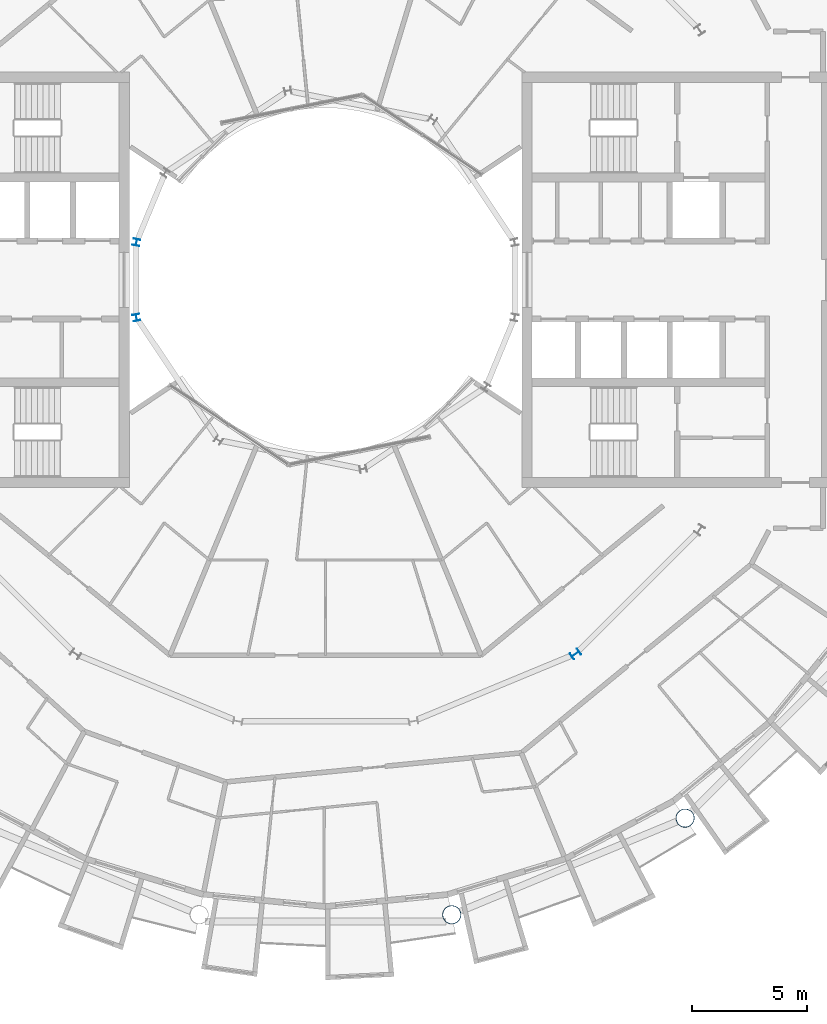
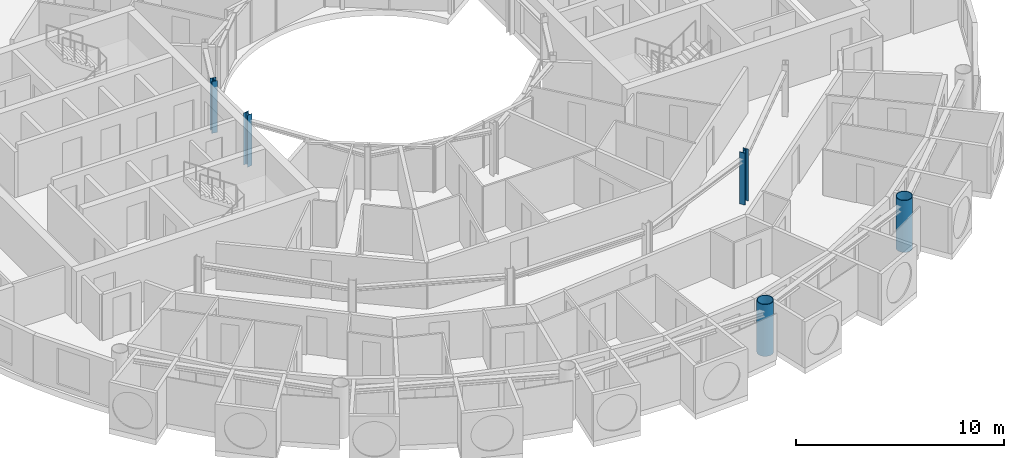
# One storey, part 2 of 29: 5 columns.
"""IFC4 building model written with IfcOpenShell, lengths in metres."""

from ifc_helpers import new_model, si_unit, direction, frame, origin, origin_2d, place, context, subcontext, project, spatial, hollow_circle, i_section, extrude, material, material_profile, profile_set, type_object, element, save


model = new_model("IFC4")

# Units and contexts
model_context = context("Model", 3, precision=1e-05, world=origin(), true_north=direction((0.0, 1.0)))
body_context = subcontext(model_context, "Body", "Model", "MODEL_VIEW")
ifc_project = project(units=[si_unit("LENGTHUNIT", "METRE"), si_unit("AREAUNIT", "SQUARE_METRE"), si_unit("VOLUMEUNIT", "CUBIC_METRE"), si_unit("PLANEANGLEUNIT", "RADIAN"), si_unit("MASSUNIT", "GRAM", prefix="KILO")], contexts=[model_context])

# Site, building, storey
site_placement = place(None, origin())
site = spatial("IfcSite", under=ifc_project, at=site_placement, CompositionType="ELEMENT")
building_placement = place(site_placement, origin())
building = spatial("IfcBuilding", under=site, at=building_placement, Name="Maasbend Ring Residences", CompositionType="ELEMENT")
storey_placement = place(building_placement, frame((0.0, 0.0, 205.449951171875)))
storey = spatial("IfcBuildingStorey", under=building, at=storey_placement, Name="L59", CompositionType="ELEMENT", Elevation=205.449951171875)

# Columns
ifc_material_1 = material(Name="Composite concrete-filled steel tube S460NH / C80/95", Category="concrete")
ifc_material_profile_1 = material_profile(ifc_material_1, hollow_circle(Radius=0.406494140625, WallThickness=0.030029296875, at=origin_2d()), Name="Composite tube column CHS 813x30")
ifc_profile_set_1 = profile_set([ifc_material_profile_1], Name="Composite concrete-filled steel tube S460NH / C80/95")
column_type_1 = type_object("IfcColumnType", Name="Composite tube column CHS 813x30", PredefinedType="COLUMN", material=ifc_profile_set_1)
for number, where, z_axis, x_axis, name in (
    (1, (5.50146484375, -27.658203125, 0.0), (0.0, 0.0, 1.0), (1.0, 0.0, 0.0), "Outer column R13"),
    (2, (15.6669921875, -23.447509765625, 0.0), (0.0, 0.0, 1.0), (1.0, 0.0, 0.0), "Outer column R14"),
):
    element("IfcColumn", number, at=place(storey_placement, frame(where, z_axis=z_axis, x_axis=x_axis)), inside=storey, type_object=column_type_1, Name=name, PredefinedType="COLUMN", context=body_context, shape_type="SweptSolid", body=[
        extrude(hollow_circle(Radius=0.406494140625, WallThickness=0.030029296875, at=origin_2d()), origin(), (0.0, 0.0, 1.0), 3.050048828125),
    ])
ifc_material_2 = material(Name="Steel S355J2", Category="steel")
ifc_material_profile_2 = material_profile(ifc_material_2, i_section(OverallWidth=0.300048828125, OverallDepth=0.2900390625, WebThickness=0.008544921875, FlangeThickness=0.013916015625, FilletRadius=0.027099609375, at=origin_2d()), Name="HEA 300")
ifc_profile_set_2 = profile_set([ifc_material_profile_2], Name="Steel S355J2")
column_type_2 = type_object("IfcColumnType", Name="Steel column HEA 300", PredefinedType="COLUMN", material=ifc_profile_set_2)
for number, where, z_axis, x_axis, name in (
    (3, (-8.238525390625, 1.638916015625, 0.0), (0.0, 0.0, 1.0), (-0.980785280403, 0.195090322016, 0.0), "Well ring column R8"),
    (4, (-8.238525390625, -1.638916015625, 0.0), (0.0, 0.0, 1.0), (-0.980785280403, -0.195090322016, 0.0), "Well ring column R9"),
):
    element("IfcColumn", number, at=place(storey_placement, frame(where, z_axis=z_axis, x_axis=x_axis)), inside=storey, type_object=column_type_2, Name=name, PredefinedType="COLUMN", context=body_context, shape_type="SweptSolid", body=[
        extrude(i_section(OverallWidth=0.300048828125, OverallDepth=0.2900390625, WebThickness=0.008544921875, FlangeThickness=0.013916015625, FilletRadius=0.027099609375, at=origin_2d()), origin(), (0.0, 0.0, 1.0), 3.050048828125),
    ])
ifc_material_3 = material(Name="Steel S355J2", Category="steel")
ifc_material_profile_3 = material_profile(ifc_material_3, i_section(OverallWidth=0.300048828125, OverallDepth=0.39990234375, WebThickness=0.013427734375, FlangeThickness=0.02392578125, FilletRadius=0.027099609375, at=origin_2d()), Name="HEB 400")
ifc_profile_set_3 = profile_set([ifc_material_profile_3], Name="Steel S355J2")
column_type_3 = type_object("IfcColumnType", Name="Steel column HEB 400", PredefinedType="COLUMN", material=ifc_profile_set_3)
column_placement = place(storey_placement, frame((10.88916015625, -16.296875, 0.0), z_axis=(0.0, 0.0, 1.0), x_axis=(0.55557023302, -0.831469612303, 0.0)))
element("IfcColumn", 5, at=column_placement, inside=storey, type_object=column_type_3, Name="Corridor ring column R14", PredefinedType="COLUMN", context=body_context, shape_type="SweptSolid", body=[
    extrude(i_section(OverallWidth=0.300048828125, OverallDepth=0.39990234375, WebThickness=0.013427734375, FlangeThickness=0.02392578125, FilletRadius=0.027099609375, at=origin_2d()), origin(), (0.0, 0.0, 1.0), 3.050048828125),
])

save(model, "model.ifc")
